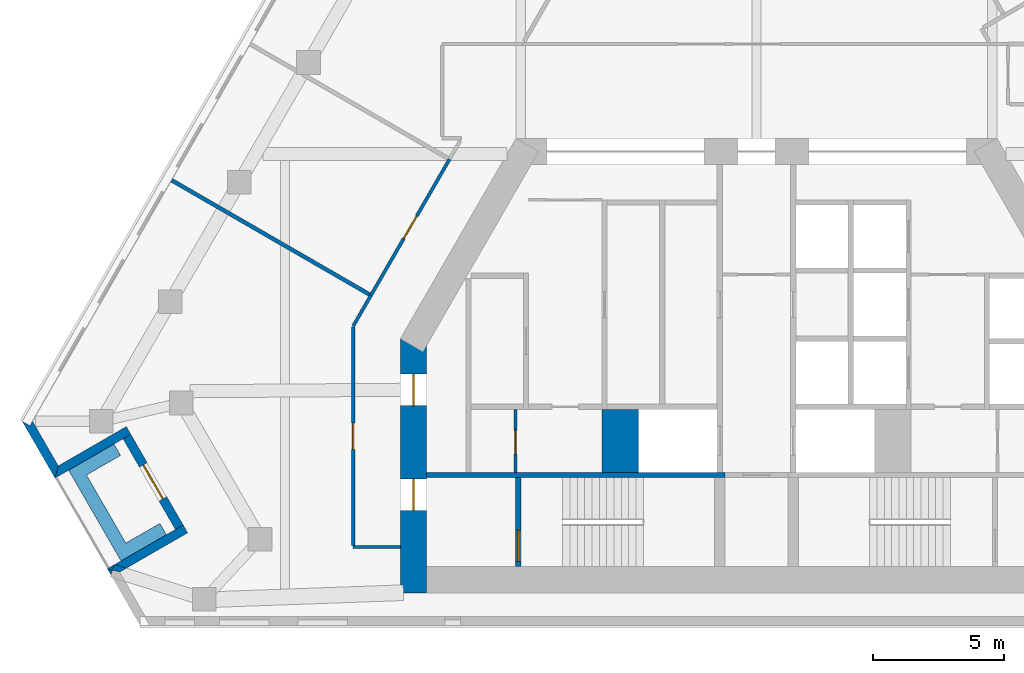
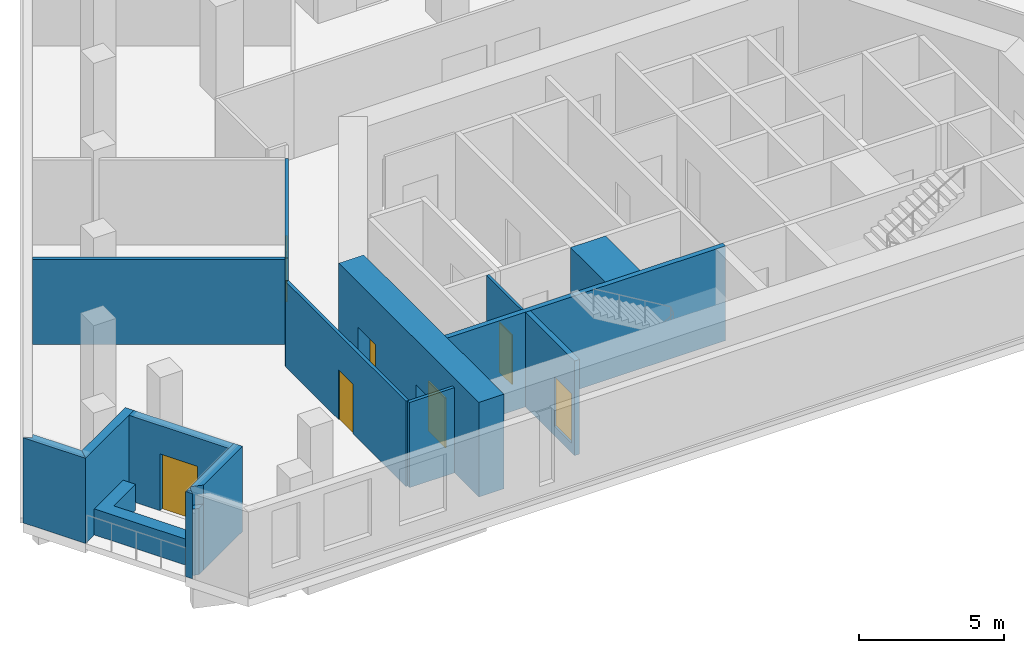
# One storey, part 3 of 9: 18 walls, 7 doors, 7 openings.
"""IFC4 building model written with IfcOpenShell, lengths in metres."""

from ifc_helpers import new_model, si_unit, direction, frame, frame_2d, origin, place, context, subcontext, project, spatial, polyline, rectangle, outline, extrude, material, layer, layer_set, type_object, element, fill, save


model = new_model("IFC4")

# Units and contexts
model_context = context("Model", 3, precision=1e-05, world=origin(), true_north=direction((0.0, 1.0)))
body_context = subcontext(model_context, "Body", "Model", "MODEL_VIEW")
ifc_project = project(units=[si_unit("LENGTHUNIT", "METRE"), si_unit("AREAUNIT", "SQUARE_METRE"), si_unit("VOLUMEUNIT", "CUBIC_METRE"), si_unit("PLANEANGLEUNIT", "RADIAN"), si_unit("MASSUNIT", "GRAM", prefix="KILO")], contexts=[model_context])

# Site, building, storey
site_placement = place(None, origin())
site = spatial("IfcSite", under=ifc_project, at=site_placement, CompositionType="ELEMENT")
building_placement = place(site_placement, origin())
building = spatial("IfcBuilding", under=site, at=building_placement, Name="Fogline Exchange Tower", CompositionType="ELEMENT")
storey_placement = place(building_placement, frame((0.0, 0.0, 190.10009765625)))
storey = spatial("IfcBuildingStorey", under=building, at=storey_placement, Name="L42", CompositionType="ELEMENT", Elevation=190.10009765625)

# Wall, opening, door
ifc_material_1 = material(Name="Blockwork partition", Category="masonry")
ifc_layer_1 = layer(ifc_material_1, 0.10009765625)
ifc_layer_set_1 = layer_set([ifc_layer_1], Name="CW10")
wall_type_1 = type_object("IfcWallType", Name="CW10", PredefinedType="PARTITIONING", material=ifc_layer_set_1)
wall_1_placement = place(storey_placement, frame((-9.199951171875, 5.85009765625, 0.0), z_axis=(0.0, 0.0, 1.0), x_axis=(0.0, 1.0, 0.0)))
wall_1 = element("IfcWall", 1, at=wall_1_placement, inside=storey, type_object=wall_type_1, Name="WC partition", PredefinedType="PARTITIONING", context=body_context, shape_type="SweptSolid", body=[
    extrude(rectangle(XDim=2.39990234375, YDim=0.10009765625, at=frame_2d((1.199951171875, 0.0))), origin(), (0.0, 0.0, 1.0), 3.599853515625),
])
opening_1_placement = place(wall_1_placement, frame((0.699951171875, 0.0, 0.0)))
opening_1 = element("IfcOpeningElement", 2, at=opening_1_placement, cuts=wall_1, Name="Opening T13-C008", PredefinedType="OPENING", context=body_context, shape_type="SweptSolid", body=[
    extrude(rectangle(XDim=0.89990234375, YDim=2.10009765625, at=frame_2d((0.449951171875, 1.050048828125))), frame((0.0, 0.06005859375, 0.0), z_axis=(0.0, -1.0, 0.0), x_axis=(1.0, 0.0, 0.0)), (0.0, 0.0, 1.0), 0.1201171875),
])
ifc_material_2 = material(Name="Steel and timber fire door", Category="steel")
door_type_1 = type_object("IfcDoorType", Name="D-CS1", OperationType="SINGLE_SWING_RIGHT", PredefinedType="DOOR", material=ifc_material_2)
door_1_placement = place(opening_1_placement, origin())
door_1 = element("IfcDoor", 3, at=door_1_placement, inside=storey, type_object=door_type_1, Name="Door to Cleaner's Store", OperationType="SINGLE_SWING_LEFT", OverallHeight=2.10009765625, OverallWidth=0.89990234375, PredefinedType="DOOR", context=body_context, shape_type="SweptSolid", body=[
    extrude(rectangle(XDim=0.89990234375, YDim=2.10009765625, at=frame_2d((0.449951171875, 1.050048828125))), frame((0.0, 0.02490234375, 0.0), z_axis=(0.0, -1.0, 0.0), x_axis=(1.0, 0.0, 0.0)), (0.0, 0.0, 1.0), 0.050048828125),
])
fill(opening_1, door_1)

# Walls
ifc_material_3 = material(Name="Concrete C60", Category="concrete")
ifc_layer_2 = layer(ifc_material_3, 1.39990234375)
ifc_layer_set_2 = layer_set([ifc_layer_2], Name="CW140")
wall_type_2 = type_object("IfcWallType", Name="CW140", PredefinedType="SOLIDWALL", material=ifc_layer_set_2)
wall_2_placement = place(storey_placement, frame((-5.199951171875, 5.85009765625, -0.400146484375), z_axis=(0.0, 0.0, 1.0), x_axis=(0.0, 1.0, 0.0)))
element("IfcWall", 4, at=wall_2_placement, inside=storey, type_object=wall_type_2, Name="Lift shaft block wall", PredefinedType="SOLIDWALL", context=body_context, shape_type="SweptSolid", body=[
    extrude(rectangle(XDim=2.39990234375, YDim=1.39990234375, at=frame_2d((1.199951171875, 0.0))), origin(), (0.0, 0.0, 1.0), 4.0),
])
ifc_material_4 = material(Name="Concrete C40", Category="concrete")
ifc_layer_3 = layer(ifc_material_4, 0.199951171875)
ifc_layer_set_3 = layer_set([ifc_layer_3], Name="CW20R")
wall_type_3 = type_object("IfcWallType", Name="CW20R", PredefinedType="SOLIDWALL", material=ifc_layer_set_3)
wall_3_placement = place(storey_placement, frame((-12.60009765625, 5.75, -0.400146484375), z_axis=(0.0, 0.0, 1.0), x_axis=(1.0, 0.0, 0.0)))
element("IfcWall", 5, at=wall_3_placement, inside=storey, type_object=wall_type_3, Name="Stair enclosure wall", PredefinedType="SOLIDWALL", context=body_context, shape_type="SweptSolid", body=[
    extrude(rectangle(XDim=11.400146484375, YDim=0.199951171875, at=frame_2d((5.7001953125, 0.0))), origin(), (0.0, 0.0, 1.0), 4.0),
])

# Wall, opening, door
wall_4_placement = place(storey_placement, frame((-9.10009765625, 2.25, -0.400146484375), z_axis=(0.0, 0.0, 1.0), x_axis=(0.0, 1.0, 0.0)))
wall_4 = element("IfcWall", 6, at=wall_4_placement, inside=storey, type_object=wall_type_3, Name="Stair enclosure wall", PredefinedType="SOLIDWALL", context=body_context, shape_type="SweptSolid", body=[
    extrude(rectangle(XDim=3.39990234375, YDim=0.199951171875, at=frame_2d((1.699951171875, 0.0))), origin(), (0.0, 0.0, 1.0), 4.0),
])
opening_2_placement = place(wall_4_placement, frame((0.199951171875, 0.0, 0.39990234375)))
opening_2 = element("IfcOpeningElement", 7, at=opening_2_placement, cuts=wall_4, Name="Opening T13-C010", PredefinedType="OPENING", context=body_context, shape_type="SweptSolid", body=[
    extrude(rectangle(XDim=1.199951171875, YDim=2.10009765625, at=frame_2d((0.60009765625, 1.050048828125))), frame((0.0, 0.10986328125, 0.0), z_axis=(0.0, -1.0, 0.0), x_axis=(1.0, 0.0, 0.0)), (0.0, 0.0, 1.0), 0.219970703125),
])
door_type_2 = type_object("IfcDoorType", Name="D-ST1", OperationType="SINGLE_SWING_LEFT", PredefinedType="DOOR", material=ifc_material_2)
door_2_placement = place(opening_2_placement, frame((1.199951171875, 0.0, 0.0), z_axis=(0.0, 0.0, 1.0), x_axis=(-1.0, 0.0, 0.0)))
door_2 = element("IfcDoor", 8, at=door_2_placement, inside=storey, type_object=door_type_2, Name="Stair door ST1", OperationType="SINGLE_SWING_RIGHT", OverallHeight=2.10009765625, OverallWidth=1.199951171875, PredefinedType="DOOR", context=body_context, shape_type="SweptSolid", body=[
    extrude(rectangle(XDim=1.199951171875, YDim=2.10009765625, at=frame_2d((0.60009765625, 1.050048828125))), frame((0.0, 0.02490234375, 0.0), z_axis=(0.0, -1.0, 0.0), x_axis=(1.0, 0.0, 0.0)), (0.0, 0.0, 1.0), 0.050048828125),
])
fill(opening_2, door_2)

# Walls
ifc_material_5 = material(Name="Brick masonry", Category="masonry")
ifc_layer_4 = layer(ifc_material_5, 0.340087890625)
ifc_layer_set_4 = layer_set([ifc_layer_4], Name="FW1")
wall_type_4 = type_object("IfcWallType", Name="FW1", PredefinedType="SOLIDWALL", material=ifc_layer_set_4)
wall_5_placement = place(storey_placement, origin())
element("IfcWall", 9, at=wall_5_placement, inside=storey, type_object=wall_type_4, Name="Brick wall L42 SW-c1", PredefinedType="SOLIDWALL", context=body_context, shape_type="SweptSolid", body=[
    extrude(outline(polyline([(-26.78125, 5.6279296875), (-28.032470703125, 7.794921875), (-28.031982421875, 7.79541015625), (-27.737060546875, 7.625), (-27.638671875, 7.79541015625), (-26.65625, 6.09375), (-26.781005859375, 5.6279296875), (-26.78125, 5.6279296875)])), origin(), (0.0, 0.0, 1.0), 3.599853515625),
])
wall_6_placement = place(storey_placement, origin())
element("IfcWall", 10, at=wall_6_placement, inside=storey, type_object=wall_type_4, Name="Brick wall L42 SW-s1", PredefinedType="SOLIDWALL", context=body_context, shape_type="SweptSolid", body=[
    extrude(outline(polyline([(-24.05859375, 7.594482421875), (-23.887939453125, 7.298828125), (-24.182861328125, 7.128662109375), (-26.781982421875, 5.628173828125), (-26.7822265625, 5.62841796875), (-26.657470703125, 6.093994140625), (-24.05859375, 7.594482421875)])), origin(), (0.0, 0.0, 1.0), 3.599853515625),
])

# Wall, opening, door
wall_7_placement = place(storey_placement, frame((-24.035888671875, 7.214111328125, 0.0), z_axis=(0.0, 0.0, 1.0), x_axis=(0.49999894854, -0.866026010844, 0.0)))
wall_7 = element("IfcWall", 11, at=wall_7_placement, inside=storey, type_object=wall_type_4, Name="Brick wall L42 SW-bk", PredefinedType="SOLIDWALL", context=body_context, shape_type="SweptSolid", body=[
    extrude(rectangle(XDim=4.0, YDim=0.340087890625, at=frame_2d((2.0, 0.0))), origin(), (0.0, 0.0, 1.0), 3.599853515625),
])
opening_3_placement = place(wall_7_placement, frame((1.25, 0.0, 0.0)))
opening_3 = element("IfcOpeningElement", 12, at=opening_3_placement, cuts=wall_7, Name="Opening T13-E021", PredefinedType="OPENING", context=body_context, shape_type="SweptSolid", body=[
    extrude(rectangle(XDim=1.5, YDim=2.39990234375, at=frame_2d((0.75, 1.199951171875))), frame((0.0, 0.18017578125, 0.0), z_axis=(0.0, -1.0, 0.0), x_axis=(1.0, 0.0, 0.0)), (0.0, 0.0, 1.0), 0.360107421875),
])
ifc_material_6 = material(Name="Aluminium and glass", Category="aluminium")
door_type_3 = type_object("IfcDoorType", Name="ED4", OperationType="SINGLE_SWING_LEFT", PredefinedType="DOOR", material=ifc_material_6)
door_3_placement = place(opening_3_placement, frame((1.5, 0.0, 0.0), z_axis=(0.0, 0.0, 1.0), x_axis=(-1.0, 0.0, 0.0)))
door_3 = element("IfcDoor", 13, at=door_3_placement, inside=storey, type_object=door_type_3, Name="Balcony door L42 SW", OperationType="DOUBLE_DOOR_SINGLE_SWING", OverallHeight=2.39990234375, OverallWidth=1.5, PredefinedType="DOOR", context=body_context, shape_type="SweptSolid", body=[
    extrude(rectangle(XDim=1.5, YDim=2.39990234375, at=frame_2d((0.75, 1.199951171875))), frame((0.0, 0.02490234375, 0.0), z_axis=(0.0, -1.0, 0.0), x_axis=(1.0, 0.0, 0.0)), (0.0, 0.0, 1.0), 0.050048828125),
])
fill(opening_3, door_3)

# Walls
wall_8_placement = place(storey_placement, origin())
element("IfcWall", 14, at=wall_8_placement, inside=storey, type_object=wall_type_4, Name="Brick wall L42 SW-s2", PredefinedType="SOLIDWALL", context=body_context, shape_type="SweptSolid", body=[
    extrude(outline(polyline([(-24.498046875, 2.329345703125), (-24.0556640625, 2.190673828125), (-24.31689453125, 2.0400390625), (-24.587158203125, 2.1123046875), (-24.523681640625, 2.314453125), (-24.498046875, 2.329345703125)])), origin(), (0.0, 0.0, 1.0), 2.7998046875),
])
wall_9_placement = place(storey_placement, origin())
element("IfcWall", 15, at=wall_9_placement, inside=storey, type_object=wall_type_4, Name="Brick wall L42 SW-s2", PredefinedType="SOLIDWALL", context=body_context, shape_type="SweptSolid", body=[
    extrude(outline(polyline([(-24.523681640625, 2.314453125), (-24.587158203125, 2.1123046875), (-24.782470703125, 2.164794921875), (-24.782470703125, 2.1650390625), (-24.523681640625, 2.314453125)])), origin(), (0.0, 0.0, 1.0), 3.599853515625),
])
wall_10_placement = place(storey_placement, origin())
element("IfcWall", 16, at=wall_10_placement, inside=storey, type_object=wall_type_4, Name="Brick wall L42 SW-s2", PredefinedType="SOLIDWALL", context=body_context, shape_type="SweptSolid", body=[
    extrude(outline(polyline([(-22.18359375, 3.66552734375), (-21.888671875, 3.8359375), (-21.718017578125, 3.540283203125), (-24.0556640625, 2.190673828125), (-24.498046875, 2.329345703125), (-22.18359375, 3.66552734375)])), origin(), (0.0, 0.0, 1.0), 3.599853515625),
])
wall_11_placement = place(storey_placement, origin())
element("IfcWall", 17, at=wall_11_placement, inside=storey, type_object=wall_type_4, Name="Brick wall L42 SW-c2", PredefinedType="SOLIDWALL", context=body_context, shape_type="SweptSolid", body=[
    extrude(outline(polyline([(-24.782470703125, 2.165771484375), (-24.7822265625, 2.166015625), (-24.586669921875, 2.113525390625), (-24.64501953125, 1.927734375), (-24.782470703125, 2.165771484375)])), origin(), (0.0, 0.0, 1.0), 3.599853515625),
])
ifc_material_7 = material(Name="Concrete C30", Category="concrete")
ifc_layer_5 = layer(ifc_material_7, 0.199951171875)
ifc_layer_set_5 = layer_set([ifc_layer_5], Name="PL1")
wall_type_5 = type_object("IfcWallType", Name="PL1", PredefinedType="USERDEFINED", material=ifc_layer_set_5)
wall_12_placement = place(storey_placement, origin())
element("IfcWall", 18, at=wall_12_placement, inside=storey, type_object=wall_type_5, Name="PLANTER balcony L42 SW", ObjectType="PLANTER", PredefinedType="USERDEFINED", context=body_context, shape_type="SweptSolid", body=[
    extrude(outline(polyline([(-22.779541015625, 3.898193359375), (-24.07861328125, 3.148193359375), (-25.57861328125, 5.74609375), (-24.279541015625, 6.49609375), (-24.529541015625, 6.92919921875), (-26.26171875, 5.92919921875), (-26.01171875, 5.49609375), (-24.26171875, 2.465087890625), (-23.82861328125, 2.715087890625), (-23.82861328125, 2.715087890625), (-22.529541015625, 3.465087890625), (-22.779541015625, 3.898193359375)])), origin(), (0.0, 0.0, 1.0), 1.099853515625),
])

# Wall, opening, door
ifc_material_8 = material(Name="Plasterboard corridor partition with mineral wool, 2 layers each side")
ifc_layer_6 = layer(ifc_material_8, 0.125)
ifc_layer_set_6 = layer_set([ifc_layer_6], Name="PW2")
wall_type_6 = type_object("IfcWallType", Name="PW2", PredefinedType="PARTITIONING", material=ifc_layer_set_6)
wall_13_placement = place(storey_placement, frame((-14.719482421875, 12.606201171875, 0.0), z_axis=(0.0, 0.0, 1.0), x_axis=(0.499990139034, 0.866031096941, 0.0)))
wall_13 = element("IfcWall", 19, at=wall_13_placement, inside=storey, type_object=wall_type_6, Name="wall-L42-W015", PredefinedType="PARTITIONING", context=body_context, shape_type="SweptSolid", body=[
    extrude(rectangle(XDim=6.0, YDim=0.125, at=frame_2d((3.0, 0.0))), origin(), (0.0, 0.0, 1.0), 3.599853515625),
])
opening_4_placement = place(wall_13_placement, frame((2.5, 0.0, 0.0)))
opening_4 = element("IfcOpeningElement", 20, at=opening_4_placement, cuts=wall_13, Name="Opening T13-D006", PredefinedType="OPENING", context=body_context, shape_type="SweptSolid", body=[
    extrude(rectangle(XDim=1.0, YDim=2.10009765625, at=frame_2d((0.5, 1.050048828125))), frame((0.0, 0.072509765625, 0.0), z_axis=(0.0, -1.0, 0.0), x_axis=(1.0, 0.0, 0.0)), (0.0, 0.0, 1.0), 0.14501953125),
])
ifc_material_9 = material(Name="Fire-rated timber door leaf with steel frame", Category="steel")
door_type_4 = type_object("IfcDoorType", Name="D3", OperationType="SINGLE_SWING_LEFT", PredefinedType="DOOR", material=ifc_material_9)
door_4_placement = place(opening_4_placement, origin())
door_4 = element("IfcDoor", 21, at=door_4_placement, inside=storey, type_object=door_type_4, Name="door-L42-D006", OperationType="SINGLE_SWING_LEFT", OverallHeight=2.10009765625, OverallWidth=1.0, PredefinedType="DOOR", context=body_context, shape_type="SweptSolid", body=[
    extrude(rectangle(XDim=1.0, YDim=2.10009765625, at=frame_2d((0.5, 1.050048828125))), frame((0.0, 0.02490234375, 0.0), z_axis=(0.0, -1.0, 0.0), x_axis=(1.0, 0.0, 0.0)), (0.0, 0.0, 1.0), 0.050048828125),
])
fill(opening_4, door_4)

# Wall
wall_14_placement = place(storey_placement, frame((-13.60009765625, 3.0, 0.0), z_axis=(0.0, 0.0, 1.0), x_axis=(-1.0, 0.0, 0.0)))
element("IfcWall", 22, at=wall_14_placement, inside=storey, type_object=wall_type_6, Name="wall-L42-W016", PredefinedType="PARTITIONING", context=body_context, shape_type="SweptSolid", body=[
    extrude(rectangle(XDim=1.7998046875, YDim=0.125, at=frame_2d((0.89990234375, 0.0))), origin(), (0.0, 0.0, 1.0), 3.599853515625),
])

# Wall, opening, door
wall_15_placement = place(storey_placement, frame((-15.39990234375, 3.0625, 0.0), z_axis=(0.0, 0.0, 1.0), x_axis=(0.0, 1.0, 0.0)))
wall_15 = element("IfcWall", 23, at=wall_15_placement, inside=storey, type_object=wall_type_6, Name="wall-L42-W017", PredefinedType="PARTITIONING", context=body_context, shape_type="SweptSolid", body=[
    extrude(rectangle(XDim=8.334228515625, YDim=0.125, at=frame_2d((4.1669921875, 0.0))), origin(), (0.0, 0.0, 1.0), 3.599853515625),
])
opening_5_placement = place(wall_15_placement, frame((3.6669921875, 0.0, 0.0)))
opening_5 = element("IfcOpeningElement", 24, at=opening_5_placement, cuts=wall_15, Name="Opening T13-D007", PredefinedType="OPENING", context=body_context, shape_type="SweptSolid", body=[
    extrude(rectangle(XDim=1.0, YDim=2.10009765625, at=frame_2d((0.5, 1.050048828125))), frame((0.0, 0.072509765625, 0.0), z_axis=(0.0, -1.0, 0.0), x_axis=(1.0, 0.0, 0.0)), (0.0, 0.0, 1.0), 0.14501953125),
])
door_5_placement = place(opening_5_placement, origin())
door_5 = element("IfcDoor", 25, at=door_5_placement, inside=storey, type_object=door_type_4, Name="door-L42-D007", OperationType="SINGLE_SWING_LEFT", OverallHeight=2.10009765625, OverallWidth=1.0, PredefinedType="DOOR", context=body_context, shape_type="SweptSolid", body=[
    extrude(rectangle(XDim=1.0, YDim=2.10009765625, at=frame_2d((0.5, 1.050048828125))), frame((0.0, 0.02490234375, 0.0), z_axis=(0.0, -1.0, 0.0), x_axis=(1.0, 0.0, 0.0)), (0.0, 0.0, 1.0), 0.050048828125),
])
fill(opening_5, door_5)

# Walls
wall_16_placement = place(storey_placement, frame((-15.39990234375, 11.427734375, 0.0), z_axis=(0.0, 0.0, 1.0), x_axis=(0.500017526161, 0.866015284814, 0.0)))
element("IfcWall", 26, at=wall_16_placement, inside=storey, type_object=wall_type_6, Name="wall-L42-W018", PredefinedType="PARTITIONING", context=body_context, shape_type="SweptSolid", body=[
    extrude(rectangle(XDim=1.36083984375, YDim=0.125, at=frame_2d((0.680419921875, 0.0))), origin(), (0.0, 0.0, 1.0), 3.599853515625),
])
ifc_material_10 = material(Name="Plasterboard demising partition with mineral wool and acoustic board")
ifc_layer_7 = layer(ifc_material_10, 0.14990234375)
ifc_layer_set_7 = layer_set([ifc_layer_7], Name="PW3")
wall_type_7 = type_object("IfcWallType", Name="PW3", PredefinedType="PARTITIONING", material=ifc_layer_set_7)
wall_17_placement = place(storey_placement, frame((-14.773681640625, 12.637451171875, 0.0), z_axis=(0.0, 0.0, 1.0), x_axis=(-0.866025660521, 0.499999555319, 0.0)))
element("IfcWall", 27, at=wall_17_placement, inside=storey, type_object=wall_type_7, Name="wall-L42-W041", PredefinedType="PARTITIONING", context=body_context, shape_type="SweptSolid", body=[
    extrude(rectangle(XDim=8.7197265625, YDim=0.14990234375, at=frame_2d((4.35986328125, 0.0))), origin(), (0.0, 0.0, 1.0), 3.599853515625),
])

# Wall, openings, doors
ifc_layer_8 = layer(ifc_material_3, 1.0)
ifc_layer_set_8 = layer_set([ifc_layer_8], Name="SW03")
wall_type_8 = type_object("IfcWallType", Name="SW03", PredefinedType="SHEAR", material=ifc_layer_set_8)
wall_18_placement = place(storey_placement, frame((-13.10009765625, 10.9453125, 0.0), z_axis=(0.0, 0.0, 1.0), x_axis=(0.0, -1.0, 0.0)))
wall_18 = element("IfcWall", 28, at=wall_18_placement, inside=storey, type_object=wall_type_8, Name="L42-W906", PredefinedType="SHEAR", context=body_context, shape_type="SweptSolid", body=[
    extrude(rectangle(XDim=9.6953125, YDim=1.0, at=frame_2d((4.84765625, 0.0))), origin(), (0.0, 0.0, 1.0), 4.0),
])
opening_6_placement = place(wall_18_placement, frame((5.345458984375, 0.0, 0.0)))
opening_6 = element("IfcOpeningElement", 29, at=opening_6_placement, cuts=wall_18, Name="Opening T13-C009", PredefinedType="OPENING", context=body_context, shape_type="SweptSolid", body=[
    extrude(rectangle(XDim=1.199951171875, YDim=2.10009765625, at=frame_2d((0.60009765625, 1.050048828125))), frame((0.0, 0.510009765625, 0.0), z_axis=(0.0, -1.0, 0.0), x_axis=(1.0, 0.0, 0.0)), (0.0, 0.0, 1.0), 1.02001953125),
])
opening_7_placement = place(wall_18_placement, frame((1.345458984375, 0.0, 0.0)))
opening_7 = element("IfcOpeningElement", 30, at=opening_7_placement, cuts=wall_18, Name="Opening T13-C011", PredefinedType="OPENING", context=body_context, shape_type="SweptSolid", body=[
    extrude(rectangle(XDim=1.199951171875, YDim=2.10009765625, at=frame_2d((0.60009765625, 1.050048828125))), frame((0.0, 0.510009765625, 0.0), z_axis=(0.0, -1.0, 0.0), x_axis=(1.0, 0.0, 0.0)), (0.0, 0.0, 1.0), 1.02001953125),
])
door_type_5 = type_object("IfcDoorType", Name="D-FR1", OperationType="SINGLE_SWING_RIGHT", PredefinedType="DOOR", material=ifc_material_2)
door_6_placement = place(opening_6_placement, origin())
door_6 = element("IfcDoor", 31, at=door_6_placement, inside=storey, type_object=door_type_5, Name="Front room door ST1", OperationType="SINGLE_SWING_LEFT", OverallHeight=2.10009765625, OverallWidth=1.199951171875, PredefinedType="DOOR", context=body_context, shape_type="SweptSolid", body=[
    extrude(rectangle(XDim=1.199951171875, YDim=2.10009765625, at=frame_2d((0.60009765625, 1.050048828125))), frame((0.0, 0.02490234375, 0.0), z_axis=(0.0, -1.0, 0.0), x_axis=(1.0, 0.0, 0.0)), (0.0, 0.0, 1.0), 0.050048828125),
])
fill(opening_6, door_6)
door_type_6 = type_object("IfcDoorType", Name="D-SV1", OperationType="SINGLE_SWING_LEFT", PredefinedType="DOOR", material=ifc_material_2)
door_7_placement = place(opening_7_placement, origin())
door_7 = element("IfcDoor", 32, at=door_7_placement, inside=storey, type_object=door_type_6, Name="Service door W", OperationType="SINGLE_SWING_LEFT", OverallHeight=2.10009765625, OverallWidth=1.199951171875, PredefinedType="DOOR", context=body_context, shape_type="SweptSolid", body=[
    extrude(rectangle(XDim=1.199951171875, YDim=2.10009765625, at=frame_2d((0.60009765625, 1.050048828125))), frame((0.0, 0.02490234375, 0.0), z_axis=(0.0, -1.0, 0.0), x_axis=(1.0, 0.0, 0.0)), (0.0, 0.0, 1.0), 0.050048828125),
])
fill(opening_7, door_7)

save(model, "model.ifc")
